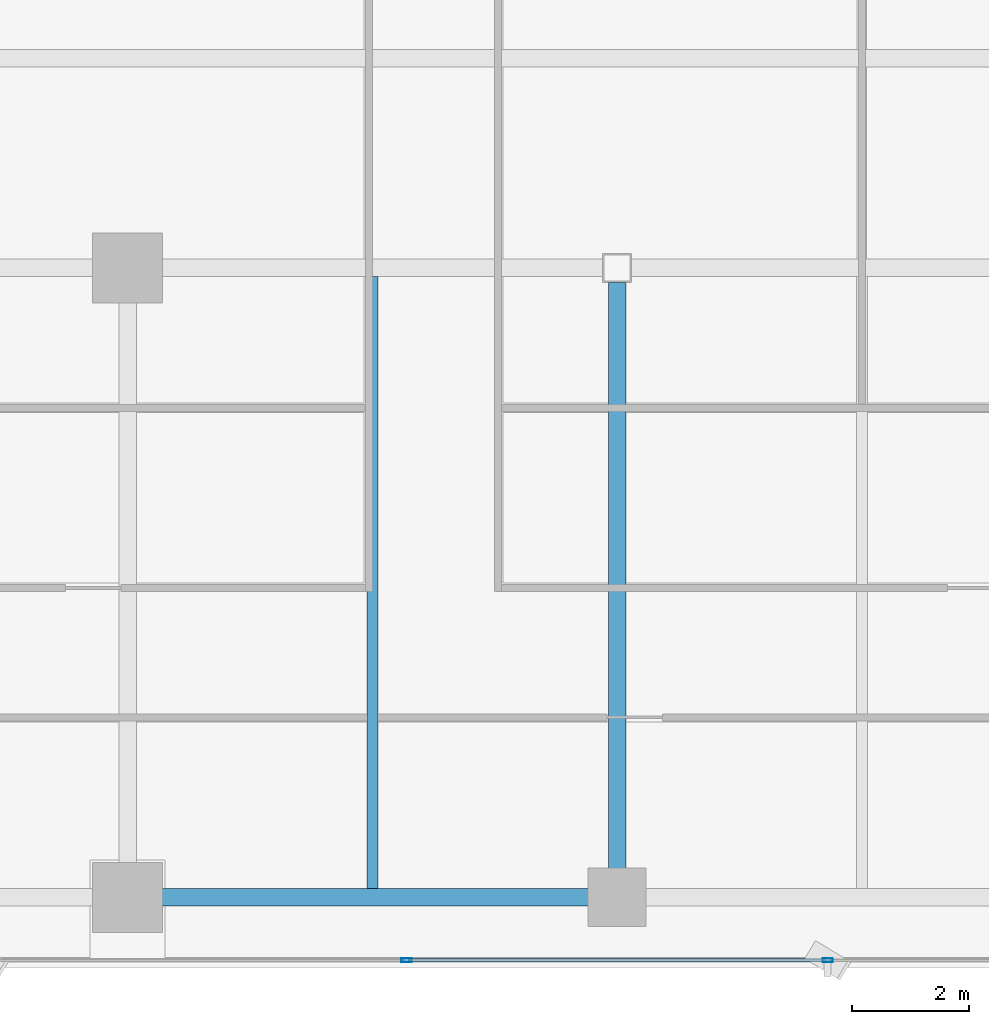
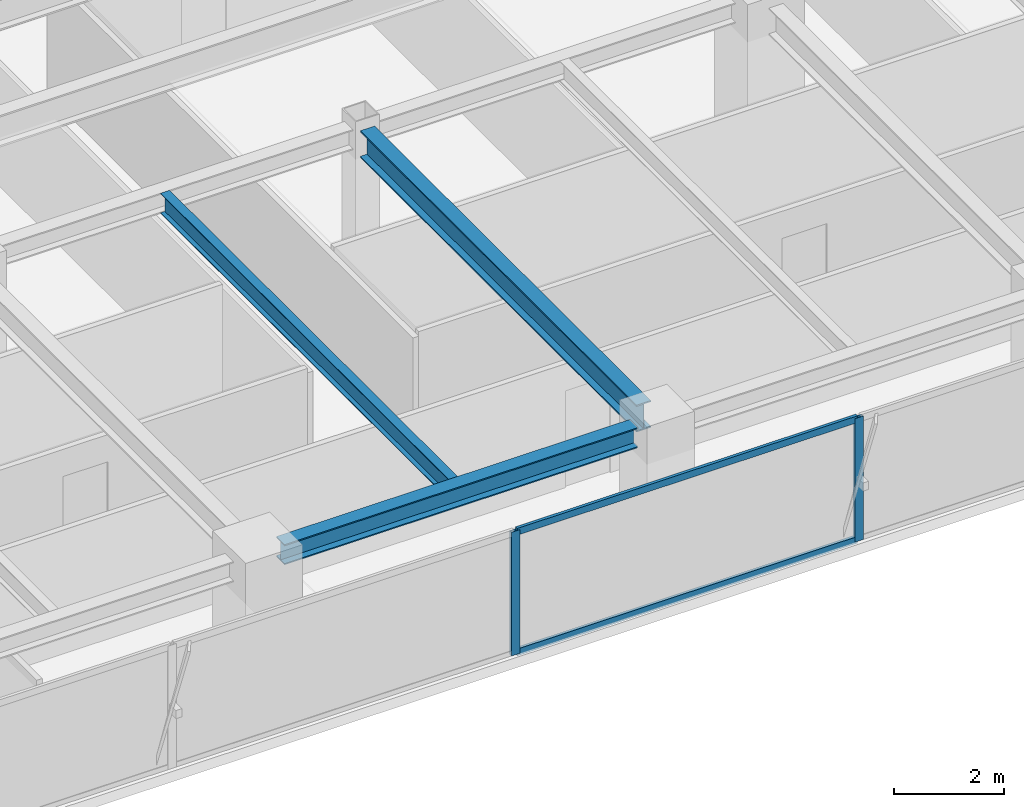
# One storey, part 5 of 22: 4 members, 3 beams, 1 element without a shape of its own.
"""IFC4 building model written with IfcOpenShell, lengths in metres."""

from ifc_helpers import new_model, si_unit, direction, frame, origin, origin_2d, place, context, subcontext, project, spatial, hollow_rectangle, i_section, extrude, source, transform, mapped, material, layer, layer_set, material_profile, profile_set, type_object, element, aggregate, save


model = new_model("IFC4")

# Units and contexts
model_context = context("Model", 3, precision=1e-05, world=origin(), true_north=direction((0.0, 1.0)))
body_context = subcontext(model_context, "Body", "Model", "MODEL_VIEW")
ifc_project = project(units=[si_unit("LENGTHUNIT", "METRE"), si_unit("AREAUNIT", "SQUARE_METRE"), si_unit("VOLUMEUNIT", "CUBIC_METRE"), si_unit("PLANEANGLEUNIT", "RADIAN"), si_unit("MASSUNIT", "GRAM", prefix="KILO")], contexts=[model_context])

# Site, building, storey
site_placement = place(None, origin())
site = spatial("IfcSite", under=ifc_project, at=site_placement, CompositionType="ELEMENT")
building_placement = place(site_placement, origin())
building = spatial("IfcBuilding", under=site, at=building_placement, Name="Sumidabori Civic Tower", CompositionType="ELEMENT")
storey_placement = place(building_placement, frame((0.0, 0.0, 272.0)))
storey = spatial("IfcBuildingStorey", under=building, at=storey_placement, Name="L71", CompositionType="ELEMENT", Elevation=272.0)

# Beams
ifc_material_1 = material(Name="Steel SN490", Category="steel")
ifc_material_profile_1 = material_profile(ifc_material_1, i_section(OverallWidth=0.300048828125, OverallDepth=0.449951171875, WebThickness=0.013916015625, FlangeThickness=0.02587890625, at=origin_2d()), Name="HE 450 B")
ifc_profile_set_1 = profile_set([ifc_material_profile_1], Name="Steel SN490")
beam_type_1 = type_object("IfcBeamType", Name="BM-GIRD-450", PredefinedType="BEAM", material=ifc_profile_set_1)
shared_shape_1 = source(origin(), body_context, "Body", "SweptSolid", [
    extrude(i_section(OverallWidth=0.300048828125, OverallDepth=0.449951171875, WebThickness=0.013916015625, FlangeThickness=0.02587890625, at=origin_2d()), origin(), (0.0, 0.0, 1.0), 7.43994140625),
])
beam_1_placement = place(storey_placement, frame((-7.919921875, -10.800048828125, 3.14501953125), z_axis=(1.0, 0.0, 0.0), x_axis=(0.0, 1.0, 0.0)))
element("IfcBeam", 1, at=beam_1_placement, inside=storey, type_object=beam_type_1, Name="Primary Girder L71 GX-02", PredefinedType="BEAM", context=body_context, shape_type="MappedRepresentation", body=[
    mapped(shared_shape_1, transform((0.0, 0.0, 0.0), x_axis=(1.0, 0.0, 0.0), y_axis=(0.0, 1.0, 0.0), z_axis=(0.0, 0.0, 1.0), scale=1.0)),
])
ifc_material_profile_2 = material_profile(ifc_material_1, i_section(OverallWidth=0.18994140625, OverallDepth=0.449951171875, WebThickness=0.009521484375, FlangeThickness=0.0146484375, at=origin_2d()), Name="IPE 450")
ifc_profile_set_2 = profile_set([ifc_material_profile_2], Name="Steel SN490")
beam_type_2 = type_object("IfcBeamType", Name="BM-JST-450", PredefinedType="JOIST", material=ifc_profile_set_2)
shared_shape_2 = source(origin(), body_context, "Body", "SweptSolid", [
    extrude(i_section(OverallWidth=0.18994140625, OverallDepth=0.449951171875, WebThickness=0.009521484375, FlangeThickness=0.0146484375, at=origin_2d()), origin(), (0.0, 0.0, 1.0), 10.5),
])
beam_2_placement = place(storey_placement, frame((-4.199951171875, -10.64990234375, 3.14501953125), z_axis=(0.0, 1.0, 0.0), x_axis=(-1.0, 0.0, 0.0)))
element("IfcBeam", 2, at=beam_2_placement, inside=storey, type_object=beam_type_2, Name="Upper Lens N-S Floor Joist L71 JSTV-25", PredefinedType="JOIST", context=body_context, shape_type="MappedRepresentation", body=[
    mapped(shared_shape_2, transform((0.0, 0.0, 0.0), x_axis=(1.0, 0.0, 0.0), y_axis=(0.0, 1.0, 0.0), z_axis=(0.0, 0.0, 1.0), scale=1.0)),
])
ifc_material_profile_3 = material_profile(ifc_material_1, i_section(OverallWidth=0.300048828125, OverallDepth=0.60009765625, WebThickness=0.015380859375, FlangeThickness=0.030029296875, at=origin_2d()), Name="HE 600 B")
ifc_profile_set_3 = profile_set([ifc_material_profile_3], Name="Steel SN490")
beam_type_3 = type_object("IfcBeamType", Name="BM-GIRD-600", PredefinedType="BEAM", material=ifc_profile_set_3)
shared_shape_3 = source(origin(), body_context, "Body", "SweptSolid", [
    extrude(i_section(OverallWidth=0.300048828125, OverallDepth=0.60009765625, WebThickness=0.015380859375, FlangeThickness=0.030029296875, at=origin_2d()), origin(), (0.0, 0.0, 1.0), 10.070068359375),
])
beam_3_placement = place(storey_placement, frame((0.0, -10.320068359375, 3.070068359375), z_axis=(0.0, 1.0, 0.0), x_axis=(-1.0, 0.0, 0.0)))
element("IfcBeam", 3, at=beam_3_placement, inside=storey, type_object=beam_type_3, Name="Primary Girder L71 GY-13", PredefinedType="BEAM", context=body_context, shape_type="MappedRepresentation", body=[
    mapped(shared_shape_3, transform((0.0, 0.0, 0.0), x_axis=(1.0, 0.0, 0.0), y_axis=(0.0, 1.0, 0.0), z_axis=(0.0, 0.0, 1.0), scale=1.0)),
])

# Curtain wall, members
ifc_material_2 = material(Name="Anodised Bronze Aluminium AW-6063-T6", Category="aluminium")
ifc_layer = layer(ifc_material_2, 0.179931640625, Name="Anodised Bronze Aluminium AW-6063-T6")
ifc_layer_set = layer_set([ifc_layer], Name="Anodised Bronze Aluminium AW-6063-T6")
curtain_wall_type = type_object("IfcCurtainWallType", Name="CW-SYS-6", PredefinedType="NOTDEFINED", material=ifc_layer_set)
curtain_wall_placement = place(storey_placement, origin())
curtain_wall = element("IfcCurtainWall", 4, at=curtain_wall_placement, inside=storey, type_object=curtain_wall_type, Name="Curtain Wall CW:L71:R01", PredefinedType="NOTDEFINED")
ifc_material_profile_4 = material_profile(ifc_material_2, hollow_rectangle(XDim=0.070068359375, YDim=0.179931640625, WallThickness=0.006103515625, at=origin_2d()), Name="ALU MULLION 180x70")
ifc_profile_set_4 = profile_set([ifc_material_profile_4], Name="Anodised Bronze Aluminium AW-6063-T6")
member_type_1 = type_object("IfcMemberType", Name="CW-MUL-180", PredefinedType="MULLION", material=ifc_profile_set_4)
shared_shape_4 = source(origin(), body_context, "Body", "SweptSolid", [
    extrude(hollow_rectangle(XDim=0.070068359375, YDim=0.179931640625, WallThickness=0.006103515625, at=origin_2d()), origin(), (0.0, 0.0, 1.0), 2.75),
])
member_1_placement = place(storey_placement, frame((-3.614013671875, -11.8798828125, 0.0), z_axis=(0.0, 0.0, 1.0), x_axis=(0.0, 1.0, 0.0)))
member_1 = element("IfcMember", 5, at=member_1_placement, type_object=member_type_1, Name="CW-6 mullion 3", PredefinedType="MULLION", context=body_context, shape_type="MappedRepresentation", body=[
    mapped(shared_shape_4, transform((0.0, 0.0, 0.0), x_axis=(1.0, 0.0, 0.0), y_axis=(0.0, 1.0, 0.0), z_axis=(0.0, 0.0, 1.0), scale=1.0)),
])
member_2_placement = place(storey_placement, frame((3.614013671875, -11.8798828125, 0.0), z_axis=(0.0, 0.0, 1.0), x_axis=(0.0, 1.0, 0.0)))
member_2 = element("IfcMember", 6, at=member_2_placement, type_object=member_type_1, Name="CW-6 mullion 4", PredefinedType="MULLION", context=body_context, shape_type="MappedRepresentation", body=[
    mapped(shared_shape_4, transform((0.0, 0.0, 0.0), x_axis=(1.0, 0.0, 0.0), y_axis=(0.0, 1.0, 0.0), z_axis=(0.0, 0.0, 1.0), scale=1.0)),
])
ifc_material_profile_5 = material_profile(ifc_material_2, hollow_rectangle(XDim=0.06494140625, YDim=0.14990234375, WallThickness=0.0048828125, at=origin_2d()), Name="ALU TRANSOM 150x65")
ifc_profile_set_5 = profile_set([ifc_material_profile_5], Name="Anodised Bronze Aluminium AW-6063-T6")
member_type_2 = type_object("IfcMemberType", Name="CW-TRN-150", PredefinedType="USERDEFINED", material=ifc_profile_set_5)
shared_shape_5 = source(origin(), body_context, "Body", "SweptSolid", [
    extrude(hollow_rectangle(XDim=0.06494140625, YDim=0.14990234375, WallThickness=0.0048828125, at=origin_2d()), origin(), (0.0, 0.0, 1.0), 7.158203125),
])
member_3_placement = place(storey_placement, frame((-3.5791015625, -11.8798828125, 0.032470703125), z_axis=(1.0, 0.0, 0.0), x_axis=(0.0, 1.0, 0.0)))
member_3 = element("IfcMember", 7, at=member_3_placement, type_object=member_type_2, Name="CW-6 transom 3.1", ObjectType="TRANSOM", PredefinedType="USERDEFINED", context=body_context, shape_type="MappedRepresentation", body=[
    mapped(shared_shape_5, transform((0.0, 0.0, 0.0), x_axis=(1.0, 0.0, 0.0), y_axis=(0.0, 1.0, 0.0), z_axis=(0.0, 0.0, 1.0), scale=1.0)),
])
member_4_placement = place(storey_placement, frame((-3.5791015625, -11.8798828125, 2.717529296875), z_axis=(1.0, 0.0, 0.0), x_axis=(0.0, 1.0, 0.0)))
member_4 = element("IfcMember", 8, at=member_4_placement, type_object=member_type_2, Name="CW-6 transom 3.2", ObjectType="TRANSOM", PredefinedType="USERDEFINED", context=body_context, shape_type="MappedRepresentation", body=[
    mapped(shared_shape_5, transform((0.0, 0.0, 0.0), x_axis=(1.0, 0.0, 0.0), y_axis=(0.0, 1.0, 0.0), z_axis=(0.0, 0.0, 1.0), scale=1.0)),
])
aggregate(curtain_wall, [member_1, member_2, member_3, member_4])

save(model, "model.ifc")
